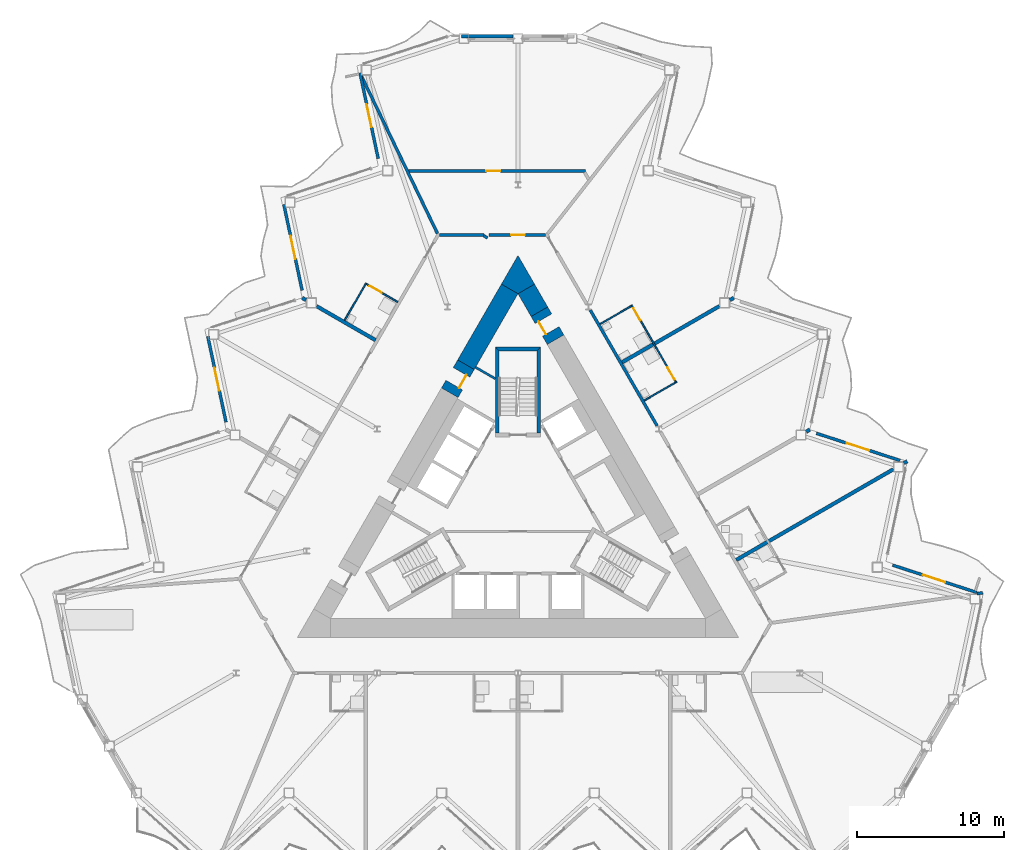
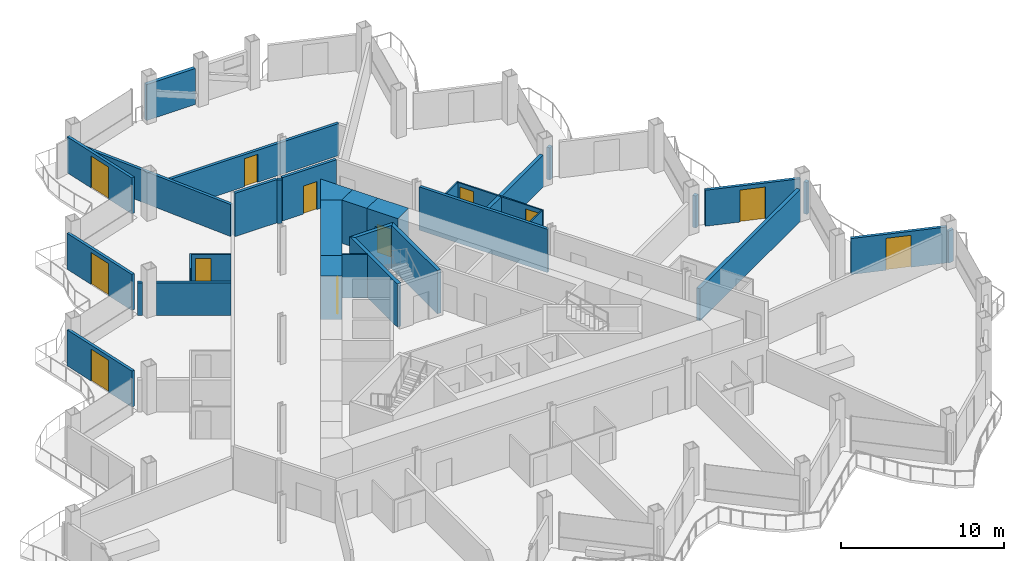
# One storey, part 14 of 24: 34 walls, 12 doors, 12 openings.
"""IFC4 building model written with IfcOpenShell, lengths in metres."""

from ifc_helpers import new_model, si_unit, direction, frame, frame_2d, origin, place, context, subcontext, project, spatial, polyline, rectangle, outline, extrude, material, layer, layer_set, type_object, element, fill, save


model = new_model("IFC4")

# Units and contexts
model_context = context("Model", 3, precision=1e-05, world=origin(), true_north=direction((0.0, 1.0)))
body_context = subcontext(model_context, "Body", "Model", "MODEL_VIEW")
ifc_project = project(units=[si_unit("LENGTHUNIT", "METRE"), si_unit("AREAUNIT", "SQUARE_METRE"), si_unit("VOLUMEUNIT", "CUBIC_METRE"), si_unit("PLANEANGLEUNIT", "RADIAN"), si_unit("MASSUNIT", "GRAM", prefix="KILO")], contexts=[model_context])

# Site, building, storey
site_placement = place(None, origin())
site = spatial("IfcSite", under=ifc_project, at=site_placement, CompositionType="ELEMENT")
building_placement = place(site_placement, origin())
building = spatial("IfcBuilding", under=site, at=building_placement, Name="Cormorant Prow Tower", CompositionType="ELEMENT")
storey_placement = place(building_placement, frame((0.0, 0.0, 234.60009765625)))
storey = spatial("IfcBuildingStorey", under=building, at=storey_placement, Name="L51", CompositionType="ELEMENT", Elevation=234.60009765625)

# Walls
ifc_material_1 = material(Name="Gypsum board partition")
ifc_layer_1 = layer(ifc_material_1, 0.14990234375)
ifc_layer_set_1 = layer_set([ifc_layer_1], Name="Gypsum board partition")
wall_type_1 = type_object("IfcWallType", Name="Core partition 150", PredefinedType="PARTITIONING", material=ifc_layer_set_1)
wall_1_placement = place(storey_placement, frame((-2.88623046875, 9.721435546875, 0.0), z_axis=(0.0, 0.0, 1.0), x_axis=(0.865990094875, -0.500061151839, 0.0)))
element("IfcWall", 1, at=wall_1_placement, inside=storey, type_object=wall_type_1, Name="Service room partition", PredefinedType="PARTITIONING", context=body_context, shape_type="SweptSolid", body=[
    extrude(rectangle(XDim=1.559814453125, YDim=0.14990234375, at=frame_2d((0.77978515625, 0.0))), origin(), (0.0, 0.0, 1.0), 3.25),
])
ifc_material_2 = material(Name="Concrete 8000 psi", Category="concrete")
ifc_layer_2 = layer(ifc_material_2, 1.300048828125)
ifc_layer_set_2 = layer_set([ifc_layer_2], Name="Concrete 8000 psi")
wall_type_2 = type_object("IfcWallType", Name="Core shear wall 1300", PredefinedType="SHEAR", material=ifc_layer_set_2)
wall_2_placement = place(storey_placement, frame((1.4560546875, 13.49853515625, 0.0), z_axis=(0.0, 0.0, 1.0), x_axis=(-0.499990639951, 0.866030807744, 0.0)))
element("IfcWall", 2, at=wall_2_placement, inside=storey, type_object=wall_type_2, Name="Core wall", PredefinedType="SHEAR", context=body_context, shape_type="SweptSolid", body=[
    extrude(rectangle(XDim=1.7861328125, YDim=1.300048828125, at=frame_2d((0.89306640625, 0.0))), origin(), (0.0, 0.0, 1.0), 3.25),
])
wall_3_placement = place(storey_placement, frame((-0.56298828125, 15.04541015625, 0.0), z_axis=(0.0, 0.0, 1.0), x_axis=(-0.500011498138, -0.866018765229, 0.0)))
element("IfcWall", 3, at=wall_3_placement, inside=storey, type_object=wall_type_2, Name="Core wall", PredefinedType="SHEAR", context=body_context, shape_type="SweptSolid", body=[
    extrude(rectangle(XDim=5.946533203125, YDim=1.300048828125, at=frame_2d((2.97314453125, 0.0))), origin(), (0.0, 0.0, 1.0), 3.25),
])
wall_4_placement = place(storey_placement, origin())
element("IfcWall", 4, at=wall_4_placement, inside=storey, type_object=wall_type_2, Name="Core wall corner", PredefinedType="SHEAR", context=body_context, shape_type="SweptSolid", body=[
    extrude(outline(polyline([(-1.125732421875, 15.37060546875), (0.0, 17.320556640625), (1.125732421875, 15.37060546875), (0.0, 14.720458984375), (-1.125732421875, 15.37060546875)])), origin(), (0.0, 0.0, 1.0), 3.25),
])

# Wall, opening, door
wall_5_placement = place(storey_placement, frame((-3.536376953125, 9.8955078125, 0.0), z_axis=(0.0, 0.0, 1.0), x_axis=(-0.499981787252, -0.866035918664, 0.0)))
wall_5 = element("IfcWall", 5, at=wall_5_placement, inside=storey, type_object=wall_type_2, Name="Core wall door panel", PredefinedType="SHEAR", context=body_context, shape_type="SweptSolid", body=[
    extrude(rectangle(XDim=2.2001953125, YDim=1.300048828125, at=frame_2d((1.10009765625, 0.0))), origin(), (0.0, 0.0, 1.0), 3.25),
])
opening_1_placement = place(wall_5_placement, frame((0.60009765625, 0.0, 0.0)))
opening_1 = element("IfcOpeningElement", 6, at=opening_1_placement, cuts=wall_5, Name="Opening L51-C16", PredefinedType="OPENING", context=body_context, shape_type="SweptSolid", body=[
    extrude(rectangle(XDim=1.0, YDim=2.10009765625, at=frame_2d((0.5, 1.050048828125))), frame((0.0, 0.659912109375, 0.0), z_axis=(0.0, -1.0, 0.0), x_axis=(1.0, 0.0, 0.0)), (0.0, 0.0, 1.0), 1.320068359375),
])
ifc_material_3 = material(Name="Painted steel", Category="steel")
door_type_1 = type_object("IfcDoorType", Name="Service door 1000x2100", OperationType="NOTDEFINED", PredefinedType="DOOR", material=ifc_material_3)
door_1_placement = place(opening_1_placement, origin())
door_1 = element("IfcDoor", 7, at=door_1_placement, inside=storey, type_object=door_type_1, Name="Core door, Linen store", OperationType="SINGLE_SWING_LEFT", OverallHeight=2.10009765625, OverallWidth=1.0, PredefinedType="DOOR", context=body_context, shape_type="SweptSolid", body=[
    extrude(rectangle(XDim=1.0, YDim=2.10009765625, at=frame_2d((0.5, 1.050048828125))), frame((0.0, 0.40478515625, 0.0), z_axis=(0.0, -1.0, 0.0), x_axis=(1.0, 0.0, 0.0)), (0.0, 0.0, 1.0), 0.050048828125),
])
fill(opening_1, door_1)

wall_6_placement = place(storey_placement, frame((2.555908203125, 11.59326171875, 0.0), z_axis=(0.0, 0.0, 1.0), x_axis=(-0.499946605688, 0.86605622881, 0.0)))
wall_6 = element("IfcWall", 8, at=wall_6_placement, inside=storey, type_object=wall_type_2, Name="Core wall door panel", PredefinedType="SHEAR", context=body_context, shape_type="SweptSolid", body=[
    extrude(rectangle(XDim=2.199951171875, YDim=1.300048828125, at=frame_2d((1.10009765625, 0.0))), origin(), (0.0, 0.0, 1.0), 3.25),
])
opening_2_placement = place(wall_6_placement, frame((0.64990234375, 0.0, 0.0)))
opening_2 = element("IfcOpeningElement", 9, at=opening_2_placement, cuts=wall_6, Name="Opening L51-C17", PredefinedType="OPENING", context=body_context, shape_type="SweptSolid", body=[
    extrude(rectangle(XDim=1.0, YDim=2.10009765625, at=frame_2d((0.5, 1.050048828125))), frame((0.0, 0.659912109375, 0.0), z_axis=(0.0, -1.0, 0.0), x_axis=(1.0, 0.0, 0.0)), (0.0, 0.0, 1.0), 1.320068359375),
])
door_2_placement = place(opening_2_placement, origin())
door_2 = element("IfcDoor", 10, at=door_2_placement, inside=storey, type_object=door_type_1, Name="Core door, Refuse store", OperationType="SINGLE_SWING_LEFT", OverallHeight=2.10009765625, OverallWidth=1.0, PredefinedType="DOOR", context=body_context, shape_type="SweptSolid", body=[
    extrude(rectangle(XDim=1.0, YDim=2.10009765625, at=frame_2d((0.5, 1.050048828125))), frame((0.0, 0.40478515625, 0.0), z_axis=(0.0, -1.0, 0.0), x_axis=(1.0, 0.0, 0.0)), (0.0, 0.0, 1.0), 0.050048828125),
])
fill(opening_2, door_2)

# Wall
ifc_material_4 = material(Name="Gypsum board corridor wall")
ifc_layer_3 = layer(ifc_material_4, 0.199951171875)
ifc_layer_set_3 = layer_set([ifc_layer_3], Name="Gypsum board corridor wall")
wall_type_3 = type_object("IfcWallType", Name="Corridor wall 200", PredefinedType="PARTITIONING", material=ifc_layer_set_3)
wall_7_placement = place(storey_placement, frame((4.91015625, 13.61572265625, 0.0), z_axis=(0.0, 0.0, 1.0), x_axis=(0.50000207303, -0.866024206917, 0.0)))
element("IfcWall", 11, at=wall_7_placement, inside=storey, type_object=wall_type_3, Name="Corridor wall", PredefinedType="PARTITIONING", context=body_context, shape_type="SweptSolid", body=[
    extrude(rectangle(XDim=9.0947265625, YDim=0.199951171875, at=frame_2d((4.54736328125, 0.0))), origin(), (0.0, 0.0, 1.0), 3.25),
])

# Wall, opening, door
wall_8_placement = place(storey_placement, frame((-1.962890625, 18.720458984375, 0.0), z_axis=(0.0, 0.0, 1.0), x_axis=(1.0, 0.0, 0.0)))
wall_8 = element("IfcWall", 12, at=wall_8_placement, inside=storey, type_object=wall_type_3, Name="Corridor wall", PredefinedType="PARTITIONING", context=body_context, shape_type="SweptSolid", body=[
    extrude(rectangle(XDim=3.825927734375, YDim=0.199951171875, at=frame_2d((1.9130859375, 0.0))), origin(), (0.0, 0.0, 1.0), 3.25),
])
opening_3_placement = place(wall_8_placement, frame((1.48974609375, 0.0, 0.0)))
opening_3 = element("IfcOpeningElement", 13, at=opening_3_placement, cuts=wall_8, Name="Opening L51-F18", PredefinedType="OPENING", context=body_context, shape_type="SweptSolid", body=[
    extrude(rectangle(XDim=0.949951171875, YDim=2.10009765625, at=frame_2d((0.47509765625, 1.050048828125))), frame((0.0, 0.10986328125, 0.0), z_axis=(0.0, -1.0, 0.0), x_axis=(1.0, 0.0, 0.0)), (0.0, 0.0, 1.0), 0.219970703125),
])
ifc_material_5 = material(Name="Timber door leaf", Category="wood")
door_type_2 = type_object("IfcDoorType", Name="Store door 950x2100", OperationType="NOTDEFINED", PredefinedType="DOOR", material=ifc_material_5)
door_3_placement = place(opening_3_placement, origin())
door_3 = element("IfcDoor", 14, at=door_3_placement, inside=storey, type_object=door_type_2, Name="Housekeeping room door", OperationType="SINGLE_SWING_LEFT", OverallHeight=2.10009765625, OverallWidth=0.949951171875, PredefinedType="DOOR", context=body_context, shape_type="SweptSolid", body=[
    extrude(rectangle(XDim=0.949951171875, YDim=2.10009765625, at=frame_2d((0.47509765625, 1.050048828125))), frame((0.0, 0.02490234375, 0.0), z_axis=(0.0, -1.0, 0.0), x_axis=(1.0, 0.0, 0.0)), (0.0, 0.0, 1.0), 0.050048828125),
])
fill(opening_3, door_3)

# Walls
wall_9_placement = place(storey_placement, frame((-5.3271484375, 18.720458984375, 0.0), z_axis=(0.0, 0.0, 1.0), x_axis=(1.0, 0.0, 0.0)))
element("IfcWall", 15, at=wall_9_placement, inside=storey, type_object=wall_type_3, Name="Corridor wall", PredefinedType="PARTITIONING", context=body_context, shape_type="SweptSolid", body=[
    extrude(rectangle(XDim=3.002197265625, YDim=0.199951171875, at=frame_2d((1.5009765625, 0.0))), origin(), (0.0, 0.0, 1.0), 3.25),
])
wall_10_placement = place(storey_placement, frame((-2.33837890625, 18.67041015625, 0.0), z_axis=(0.0, 0.0, 1.0), x_axis=(0.866054481515, -0.499949632511, 0.0)))
element("IfcWall", 16, at=wall_10_placement, inside=storey, type_object=wall_type_3, Name="Corridor wall", PredefinedType="PARTITIONING", context=body_context, shape_type="SweptSolid", body=[
    extrude(rectangle(XDim=0.31005859375, YDim=0.199951171875, at=frame_2d((0.155029296875, 0.0))), origin(), (0.0, 0.0, 1.0), 3.25),
])
ifc_material_6 = material(Name="Gypsum board demising wall")
ifc_layer_4 = layer(ifc_material_6, 0.199951171875)
ifc_layer_set_4 = layer_set([ifc_layer_4], Name="Gypsum board demising wall")
wall_type_4 = type_object("IfcWallType", Name="Demising wall 200", PredefinedType="PARTITIONING", material=ifc_layer_set_4)
wall_11_placement = place(storey_placement, origin())
element("IfcWall", 17, at=wall_11_placement, inside=storey, type_object=wall_type_4, Name="Demising wall", PredefinedType="PARTITIONING", context=body_context, shape_type="SweptSolid", body=[
    extrude(outline(polyline([(-5.560791015625, 18.76708984375), (-10.4658203125, 28.92333984375), (-10.640380859375, 29.744873046875), (-5.380615234375, 18.85400390625), (-5.560791015625, 18.76708984375)])), origin(), (0.0, 0.0, 1.0), 2.404052734375),
])

# Wall, opening, door
wall_12_placement = place(storey_placement, frame((-7.427978515625, 23.070556640625, 0.0), z_axis=(0.0, 0.0, 1.0), x_axis=(1.0, 0.0, 0.0)))
wall_12 = element("IfcWall", 18, at=wall_12_placement, inside=storey, type_object=wall_type_4, Name="Demising wall", PredefinedType="PARTITIONING", context=body_context, shape_type="SweptSolid", body=[
    extrude(rectangle(XDim=12.00244140625, YDim=0.199951171875, at=frame_2d((6.001220703125, 0.0))), origin(), (0.0, 0.0, 1.0), 2.404052734375),
])
opening_4_placement = place(wall_12_placement, frame((5.27490234375, 0.0, 0.0)))
opening_4 = element("IfcOpeningElement", 19, at=opening_4_placement, cuts=wall_12, Name="Opening L51-F19", PredefinedType="OPENING", context=body_context, shape_type="SweptSolid", body=[
    extrude(rectangle(XDim=0.949951171875, YDim=2.10009765625, at=frame_2d((0.47509765625, 1.050048828125))), frame((0.0, 0.10986328125, 0.0), z_axis=(0.0, -1.0, 0.0), x_axis=(1.0, 0.0, 0.0)), (0.0, 0.0, 1.0), 0.219970703125),
])
door_4_placement = place(opening_4_placement, origin())
door_4 = element("IfcDoor", 20, at=door_4_placement, inside=storey, type_object=door_type_2, Name="Linen store door", OperationType="SINGLE_SWING_LEFT", OverallHeight=2.10009765625, OverallWidth=0.949951171875, PredefinedType="DOOR", context=body_context, shape_type="SweptSolid", body=[
    extrude(rectangle(XDim=0.949951171875, YDim=2.10009765625, at=frame_2d((0.47509765625, 1.050048828125))), frame((0.0, 0.02490234375, 0.0), z_axis=(0.0, -1.0, 0.0), x_axis=(1.0, 0.0, 0.0)), (0.0, 0.0, 1.0), 0.050048828125),
])
fill(opening_4, door_4)

# Wall
wall_13_placement = place(storey_placement, frame((31.19580078125, -5.669189453125, 0.0), z_axis=(0.0, 0.0, 1.0), x_axis=(0.990010701632, 0.140992236146, 0.0)))
element("IfcWall", 21, at=wall_13_placement, inside=storey, type_object=wall_type_4, Name="Demising wall", PredefinedType="PARTITIONING", context=body_context, shape_type="SweptSolid", body=[
    extrude(rectangle(XDim=0.398193359375, YDim=0.199951171875, at=frame_2d((0.19921875, 0.0))), origin(), (0.0, 0.0, 1.0), 2.404052734375),
])

# Wall, openings, doors
ifc_material_7 = material(Name="Gypsum board partition")
ifc_layer_5 = layer(ifc_material_7, 0.10009765625)
ifc_layer_set_5 = layer_set([ifc_layer_5], Name="Gypsum board partition")
wall_type_5 = type_object("IfcWallType", Name="Internal partition 100", PredefinedType="PARTITIONING", material=ifc_layer_set_5)
wall_14_placement = place(storey_placement, frame((7.71923828125, 13.950439453125, 0.0), z_axis=(0.0, 0.0, 1.0), x_axis=(0.500008851346, -0.866020293397, 0.0)))
wall_14 = element("IfcWall", 22, at=wall_14_placement, inside=storey, type_object=wall_type_5, Name="Internal partition", PredefinedType="PARTITIONING", context=body_context, shape_type="SweptSolid", body=[
    extrude(rectangle(XDim=6.10009765625, YDim=0.10009765625, at=frame_2d((3.050048828125, 0.0))), origin(), (0.0, 0.0, 1.0), 2.404052734375),
])
opening_5_placement = place(wall_14_placement, frame((4.89990234375, 0.0, 0.0)))
opening_5 = element("IfcOpeningElement", 23, at=opening_5_placement, cuts=wall_14, Name="Opening L51-F15", PredefinedType="OPENING", context=body_context, shape_type="SweptSolid", body=[
    extrude(rectangle(XDim=0.949951171875, YDim=2.10009765625, at=frame_2d((0.47509765625, 1.050048828125))), frame((0.0, 0.06005859375, 0.0), z_axis=(0.0, -1.0, 0.0), x_axis=(1.0, 0.0, 0.0)), (0.0, 0.0, 1.0), 0.1201171875),
])
opening_6_placement = place(wall_14_placement, frame((0.25, 0.0, 0.0)))
opening_6 = element("IfcOpeningElement", 24, at=opening_6_placement, cuts=wall_14, Name="Opening L51-F17", PredefinedType="OPENING", context=body_context, shape_type="SweptSolid", body=[
    extrude(rectangle(XDim=0.949951171875, YDim=2.10009765625, at=frame_2d((0.47509765625, 1.050048828125))), frame((0.0, 0.06005859375, 0.0), z_axis=(0.0, -1.0, 0.0), x_axis=(1.0, 0.0, 0.0)), (0.0, 0.0, 1.0), 0.1201171875),
])
ifc_material_8 = material(Name="Timber door leaf", Category="wood")
door_type_3 = type_object("IfcDoorType", Name="Bathroom door 950x2100", OperationType="NOTDEFINED", PredefinedType="DOOR", material=ifc_material_8)
door_5_placement = place(opening_5_placement, origin())
door_5 = element("IfcDoor", 25, at=door_5_placement, inside=storey, type_object=door_type_3, Name="Junior suite door", OperationType="SINGLE_SWING_RIGHT", OverallHeight=2.10009765625, OverallWidth=0.949951171875, PredefinedType="DOOR", context=body_context, shape_type="SweptSolid", body=[
    extrude(rectangle(XDim=0.949951171875, YDim=2.10009765625, at=frame_2d((0.47509765625, 1.050048828125))), frame((0.0, 0.02490234375, 0.0), z_axis=(0.0, -1.0, 0.0), x_axis=(1.0, 0.0, 0.0)), (0.0, 0.0, 1.0), 0.050048828125),
])
fill(opening_5, door_5)
door_6_placement = place(opening_6_placement, origin())
door_6 = element("IfcDoor", 26, at=door_6_placement, inside=storey, type_object=door_type_3, Name="Executive suite bedroom door", OperationType="SINGLE_SWING_LEFT", OverallHeight=2.10009765625, OverallWidth=0.949951171875, PredefinedType="DOOR", context=body_context, shape_type="SweptSolid", body=[
    extrude(rectangle(XDim=0.949951171875, YDim=2.10009765625, at=frame_2d((0.47509765625, 1.050048828125))), frame((0.0, 0.02490234375, 0.0), z_axis=(0.0, -1.0, 0.0), x_axis=(1.0, 0.0, 0.0)), (0.0, 0.0, 1.0), 0.050048828125),
])
fill(opening_6, door_6)

# Walls
wall_15_placement = place(storey_placement, frame((-11.77978515625, 12.91748046875, 0.0), z_axis=(0.0, 0.0, 1.0), x_axis=(0.499999433879, 0.866025730634, 0.0)))
element("IfcWall", 27, at=wall_15_placement, inside=storey, type_object=wall_type_5, Name="Internal partition", PredefinedType="PARTITIONING", context=body_context, shape_type="SweptSolid", body=[
    extrude(rectangle(XDim=2.9248046875, YDim=0.10009765625, at=frame_2d((1.46240234375, 0.0))), origin(), (0.0, 0.0, 1.0), 2.404052734375),
])
wall_16_placement = place(storey_placement, frame((8.5791015625, 7.4609375, 0.0), z_axis=(0.0, 0.0, 1.0), x_axis=(0.866014668023, 0.500018594424, 0.0)))
element("IfcWall", 28, at=wall_16_placement, inside=storey, type_object=wall_type_5, Name="Internal partition", PredefinedType="PARTITIONING", context=body_context, shape_type="SweptSolid", body=[
    extrude(rectangle(XDim=2.4501953125, YDim=0.10009765625, at=frame_2d((1.22509765625, 0.0))), origin(), (0.0, 0.0, 1.0), 2.404052734375),
])

# Wall, opening, door
wall_17_placement = place(storey_placement, frame((-10.299072265625, 15.382080078125, 0.0), z_axis=(0.0, 0.0, 1.0), x_axis=(0.866057815567, -0.499943856944, 0.0)))
wall_17 = element("IfcWall", 29, at=wall_17_placement, inside=storey, type_object=wall_type_5, Name="Internal partition", PredefinedType="PARTITIONING", context=body_context, shape_type="SweptSolid", body=[
    extrude(rectangle(XDim=2.449951171875, YDim=0.10009765625, at=frame_2d((1.22509765625, 0.0))), origin(), (0.0, 0.0, 1.0), 2.404052734375),
])
opening_7_placement = place(wall_17_placement, frame((0.25, 0.0, 0.0)))
opening_7 = element("IfcOpeningElement", 30, at=opening_7_placement, cuts=wall_17, Name="Opening L51-F21", PredefinedType="OPENING", context=body_context, shape_type="SweptSolid", body=[
    extrude(rectangle(XDim=0.949951171875, YDim=2.10009765625, at=frame_2d((0.47509765625, 1.050048828125))), frame((0.0, 0.06005859375, 0.0), z_axis=(0.0, -1.0, 0.0), x_axis=(1.0, 0.0, 0.0)), (0.0, 0.0, 1.0), 0.1201171875),
])
door_7_placement = place(opening_7_placement, origin())
door_7 = element("IfcDoor", 31, at=door_7_placement, inside=storey, type_object=door_type_3, Name="Executive suite bedroom door", OperationType="SINGLE_SWING_LEFT", OverallHeight=2.10009765625, OverallWidth=0.949951171875, PredefinedType="DOOR", context=body_context, shape_type="SweptSolid", body=[
    extrude(rectangle(XDim=0.949951171875, YDim=2.10009765625, at=frame_2d((0.47509765625, 1.050048828125))), frame((0.0, 0.02490234375, 0.0), z_axis=(0.0, -1.0, 0.0), x_axis=(1.0, 0.0, 0.0)), (0.0, 0.0, 1.0), 0.050048828125),
])
fill(opening_7, door_7)

# Walls
wall_18_placement = place(storey_placement, frame((5.5791015625, 12.6572265625, 0.0), z_axis=(0.0, 0.0, 1.0), x_axis=(0.866057815567, 0.499943856944, 0.0)))
element("IfcWall", 32, at=wall_18_placement, inside=storey, type_object=wall_type_5, Name="Internal partition", PredefinedType="PARTITIONING", context=body_context, shape_type="SweptSolid", body=[
    extrude(rectangle(XDim=2.449951171875, YDim=0.10009765625, at=frame_2d((1.22509765625, 0.0))), origin(), (0.0, 0.0, 1.0), 2.404052734375),
])
ifc_material_9 = material(Name="Concrete 8000 psi", Category="concrete")
ifc_layer_6 = layer(ifc_material_9, 0.25)
ifc_layer_set_6 = layer_set([ifc_layer_6], Name="Concrete 8000 psi")
wall_type_6 = type_object("IfcWallType", Name="Stair wall 250", PredefinedType="SHEAR", material=ifc_layer_set_6)
wall_19_placement = place(storey_placement, origin())
element("IfcWall", 33, at=wall_19_placement, inside=storey, type_object=wall_type_6, Name="Stair ST3 enclosure wall (flank)", PredefinedType="SHEAR", context=body_context, shape_type="SweptSolid", body=[
    extrude(outline(polyline([(1.5439453125, 5.23681640625), (1.5439453125, 11.0869140625), (1.2939453125, 10.8369140625), (1.2939453125, 5.23681640625), (1.5439453125, 5.23681640625)])), origin(), (0.0, 0.0, 1.0), 3.25),
])
wall_20_placement = place(storey_placement, origin())
element("IfcWall", 34, at=wall_20_placement, inside=storey, type_object=wall_type_6, Name="Stair ST3 enclosure wall (end)", PredefinedType="SHEAR", context=body_context, shape_type="SweptSolid", body=[
    extrude(outline(polyline([(1.5439453125, 11.0869140625), (-1.5439453125, 11.0869140625), (-1.2939453125, 10.8369140625), (1.2939453125, 10.8369140625), (1.5439453125, 11.0869140625)])), origin(), (0.0, 0.0, 1.0), 3.25),
])
wall_21_placement = place(storey_placement, origin())
element("IfcWall", 35, at=wall_21_placement, inside=storey, type_object=wall_type_6, Name="Stair ST3 enclosure wall (flank)", PredefinedType="SHEAR", context=body_context, shape_type="SweptSolid", body=[
    extrude(outline(polyline([(-1.2939453125, 10.8369140625), (-1.5439453125, 11.0869140625), (-1.5439453125, 5.23681640625), (-1.2939453125, 5.23681640625), (-1.2939453125, 10.8369140625)])), origin(), (0.0, 0.0, 1.0), 3.25),
])
ifc_material_10 = material(Name="Acoustic gypsum party wall")
ifc_layer_7 = layer(ifc_material_10, 0.25)
ifc_layer_set_7 = layer_set([ifc_layer_7], Name="Acoustic gypsum party wall")
wall_type_7 = type_object("IfcWallType", Name="Suite party wall 250", PredefinedType="PARTITIONING", material=ifc_layer_set_7)
wall_22_placement = place(storey_placement, frame((14.8369140625, -3.3779296875, 0.0), z_axis=(0.0, 0.0, 1.0), x_axis=(0.866021706022, 0.500006404657, 0.0)))
element("IfcWall", 36, at=wall_22_placement, inside=storey, type_object=wall_type_7, Name="Suite party wall", PredefinedType="PARTITIONING", context=body_context, shape_type="SweptSolid", body=[
    extrude(rectangle(XDim=12.329833984375, YDim=0.25, at=frame_2d((6.1650390625, 0.0))), origin(), (0.0, 0.0, 1.0), 2.404052734375),
])
wall_23_placement = place(storey_placement, frame((7.0791015625, 10.05908203125, 0.0), z_axis=(0.0, 0.0, 1.0), x_axis=(0.866033195618, 0.499986503906, 0.0)))
element("IfcWall", 37, at=wall_23_placement, inside=storey, type_object=wall_type_7, Name="Suite party wall", PredefinedType="PARTITIONING", context=body_context, shape_type="SweptSolid", body=[
    extrude(rectangle(XDim=7.630126953125, YDim=0.25, at=frame_2d((3.81494140625, 0.0))), origin(), (0.0, 0.0, 1.0), 2.404052734375),
])
wall_24_placement = place(storey_placement, frame((-13.68701171875, 13.8740234375, 0.0), z_axis=(0.0, 0.0, 1.0), x_axis=(0.866034555462, -0.499984148495, 0.0)))
element("IfcWall", 38, at=wall_24_placement, inside=storey, type_object=wall_type_7, Name="Suite party wall", PredefinedType="PARTITIONING", context=body_context, shape_type="SweptSolid", body=[
    extrude(rectangle(XDim=4.630126953125, YDim=0.25, at=frame_2d((2.31494140625, 0.0))), origin(), (0.0, 0.0, 1.0), 2.404052734375),
])
for number, where, z_axis, x_axis, name in (
    (39, (14.406982421875, 14.289794921875, 0.0), (0.0, 0.0, 1.0), (0.865888485494, 0.500237074485, 0.0), "Suite party wall"),
    (40, (-14.667724609375, 14.4404296875, 0.0), (0.0, 0.0, 1.0), (0.865888485494, -0.500237074485, 0.0), "Suite party wall"),
):
    element("IfcWall", number, at=place(storey_placement, frame(where, z_axis=z_axis, x_axis=x_axis)), inside=storey, type_object=wall_type_7, Name=name, PredefinedType="PARTITIONING", context=body_context, shape_type="SweptSolid", body=[
        extrude(rectangle(XDim=0.301025390625, YDim=0.25, at=frame_2d((0.150390625, 0.0))), origin(), (0.0, 0.0, 1.0), 2.404052734375),
    ])
wall_25_placement = place(storey_placement, frame((19.59521484375, 5.34130859375, 0.0), z_axis=(0.0, 0.0, 1.0), x_axis=(0.865998287773, 0.500046963369, 0.0)))
element("IfcWall", 41, at=wall_25_placement, inside=storey, type_object=wall_type_7, Name="Suite party wall", PredefinedType="PARTITIONING", context=body_context, shape_type="SweptSolid", body=[
    extrude(rectangle(XDim=0.2822265625, YDim=0.25, at=frame_2d((0.14111328125, 0.0))), origin(), (0.0, 0.0, 1.0), 2.404052734375),
])
wall_26_placement = place(storey_placement, frame((26.23486328125, 3.20263671875, 0.0), z_axis=(0.0, 0.0, 1.0), x_axis=(0.86596515875, 0.500104332946, 0.0)))
element("IfcWall", 42, at=wall_26_placement, inside=storey, type_object=wall_type_7, Name="Suite party wall", PredefinedType="PARTITIONING", context=body_context, shape_type="SweptSolid", body=[
    extrude(rectangle(XDim=0.25830078125, YDim=0.25, at=frame_2d((0.129150390625, 0.0))), origin(), (0.0, 0.0, 1.0), 2.404052734375),
])
ifc_material_11 = material(Name="Terracotta", Category="masonry")
ifc_layer_8 = layer(ifc_material_11, 0.25)
ifc_layer_set_8 = layer_set([ifc_layer_8], Name="Terracotta")
wall_type_8 = type_object("IfcWallType", Name="Terracotta bay wall 250", PredefinedType="SOLIDWALL", material=ifc_layer_set_8)
wall_27_placement = place(storey_placement, frame((-0.35009765625, 32.2314453125, 0.0), z_axis=(0.0, 0.0, 1.0), x_axis=(-1.0, 0.0, 0.0)))
element("IfcWall", 43, at=wall_27_placement, inside=storey, type_object=wall_type_8, Name="Terracotta bay wall N01", PredefinedType="SOLIDWALL", context=body_context, shape_type="SweptSolid", body=[
    extrude(rectangle(XDim=3.472900390625, YDim=0.25, at=frame_2d((1.736328125, 0.0))), origin(), (0.0, 0.0, 1.0), 2.70068359375),
])

# Wall, opening, door
ifc_material_12 = material(Name="Terracotta", Category="masonry")
ifc_layer_9 = layer(ifc_material_12, 0.199951171875)
ifc_layer_set_9 = layer_set([ifc_layer_9], Name="Terracotta")
wall_type_9 = type_object("IfcWallType", Name="Terracotta jamb wall 200", PredefinedType="SOLIDWALL", material=ifc_layer_set_9)
wall_28_placement = place(storey_placement, frame((31.183837890625, -5.586181640625, 0.0), z_axis=(0.0, 0.0, 1.0), x_axis=(-0.95106415783, 0.30899347516, 0.0)))
wall_28 = element("IfcWall", 44, at=wall_28_placement, inside=storey, type_object=wall_type_9, Name="Terracotta jamb wall ENE01", PredefinedType="SOLIDWALL", context=body_context, shape_type="SweptSolid", body=[
    extrude(rectangle(XDim=6.021484375, YDim=0.199951171875, at=frame_2d((3.0107421875, 0.0))), origin(), (0.0, 0.0, 1.0), 2.70068359375),
])
opening_8_placement = place(wall_28_placement, frame((2.24267578125, 0.0, 0.0)))
opening_8 = element("IfcOpeningElement", 45, at=opening_8_placement, cuts=wall_28, Name="Opening ED51.06", PredefinedType="OPENING", context=body_context, shape_type="SweptSolid", body=[
    extrude(rectangle(XDim=1.60009765625, YDim=2.39990234375, at=frame_2d((0.800048828125, 1.199951171875))), frame((0.0, 0.10986328125, 0.0), z_axis=(0.0, -1.0, 0.0), x_axis=(1.0, 0.0, 0.0)), (0.0, 0.0, 1.0), 0.219970703125),
])
ifc_material_13 = material(Name="Aluminium 6063-T6", Category="aluminium")
door_type_4 = type_object("IfcDoorType", Name="Balcony door 1600x2400", OperationType="DOUBLE_DOOR_SINGLE_SWING", PredefinedType="DOOR", material=ifc_material_13)
door_8_placement = place(opening_8_placement, origin())
door_8 = element("IfcDoor", 46, at=door_8_placement, inside=storey, type_object=door_type_4, Name="Balcony door ENE01 ED51.06", OperationType="DOUBLE_DOOR_SINGLE_SWING", OverallHeight=2.39990234375, OverallWidth=1.60009765625, PredefinedType="DOOR", context=body_context, shape_type="SweptSolid", body=[
    extrude(rectangle(XDim=1.60009765625, YDim=2.39990234375, at=frame_2d((0.800048828125, 1.199951171875))), frame((0.0, 0.02490234375, 0.0), z_axis=(0.0, -1.0, 0.0), x_axis=(1.0, 0.0, 0.0)), (0.0, 0.0, 1.0), 0.050048828125),
])
fill(opening_8, door_8)

wall_29_placement = place(storey_placement, frame((25.9765625, 3.38330078125, 0.0), z_axis=(0.0, 0.0, 1.0), x_axis=(-0.951062846307, 0.308997511922, 0.0)))
wall_29 = element("IfcWall", 47, at=wall_29_placement, inside=storey, type_object=wall_type_9, Name="Terracotta jamb wall ENE03", PredefinedType="SOLIDWALL", context=body_context, shape_type="SweptSolid", body=[
    extrude(rectangle(XDim=5.984375, YDim=0.199951171875, at=frame_2d((2.9921875, 0.0))), origin(), (0.0, 0.0, 1.0), 2.70068359375),
])
opening_9_placement = place(wall_29_placement, frame((2.20556640625, 0.0, 0.0)))
opening_9 = element("IfcOpeningElement", 48, at=opening_9_placement, cuts=wall_29, Name="Opening ED51.07", PredefinedType="OPENING", context=body_context, shape_type="SweptSolid", body=[
    extrude(rectangle(XDim=1.60009765625, YDim=2.39990234375, at=frame_2d((0.800048828125, 1.199951171875))), frame((0.0, 0.10986328125, 0.0), z_axis=(0.0, -1.0, 0.0), x_axis=(1.0, 0.0, 0.0)), (0.0, 0.0, 1.0), 0.219970703125),
])
door_9_placement = place(opening_9_placement, origin())
door_9 = element("IfcDoor", 49, at=door_9_placement, inside=storey, type_object=door_type_4, Name="Balcony door ENE03 ED51.07", OperationType="DOUBLE_DOOR_SINGLE_SWING", OverallHeight=2.39990234375, OverallWidth=1.60009765625, PredefinedType="DOOR", context=body_context, shape_type="SweptSolid", body=[
    extrude(rectangle(XDim=1.60009765625, YDim=2.39990234375, at=frame_2d((0.800048828125, 1.199951171875))), frame((0.0, 0.02490234375, 0.0), z_axis=(0.0, -1.0, 0.0), x_axis=(1.0, 0.0, 0.0)), (0.0, 0.0, 1.0), 0.050048828125),
])
fill(opening_9, door_9)

wall_30_placement = place(storey_placement, frame((-10.74072265625, 29.736572265625, 0.0), z_axis=(0.0, 0.0, 1.0), x_axis=(0.207891593624, -0.978151872308, 0.0)))
wall_30 = element("IfcWall", 50, at=wall_30_placement, inside=storey, type_object=wall_type_9, Name="Terracotta jamb wall WNW01", PredefinedType="SOLIDWALL", context=body_context, shape_type="SweptSolid", body=[
    extrude(rectangle(XDim=5.95751953125, YDim=0.199951171875, at=frame_2d((2.978759765625, 0.0))), origin(), (0.0, 0.0, 1.0), 2.70068359375),
])
opening_10_placement = place(wall_30_placement, frame((2.1787109375, 0.0, 0.0)))
opening_10 = element("IfcOpeningElement", 51, at=opening_10_placement, cuts=wall_30, Name="Opening ED51.11", PredefinedType="OPENING", context=body_context, shape_type="SweptSolid", body=[
    extrude(rectangle(XDim=1.60009765625, YDim=2.39990234375, at=frame_2d((0.800048828125, 1.199951171875))), frame((0.0, 0.10986328125, 0.0), z_axis=(0.0, -1.0, 0.0), x_axis=(1.0, 0.0, 0.0)), (0.0, 0.0, 1.0), 0.219970703125),
])
door_10_placement = place(opening_10_placement, origin())
door_10 = element("IfcDoor", 52, at=door_10_placement, inside=storey, type_object=door_type_4, Name="Balcony door WNW01 ED51.11", OperationType="DOUBLE_DOOR_SINGLE_SWING", OverallHeight=2.39990234375, OverallWidth=1.60009765625, PredefinedType="DOOR", context=body_context, shape_type="SweptSolid", body=[
    extrude(rectangle(XDim=1.60009765625, YDim=2.39990234375, at=frame_2d((0.800048828125, 1.199951171875))), frame((0.0, 0.02490234375, 0.0), z_axis=(0.0, -1.0, 0.0), x_axis=(1.0, 0.0, 0.0)), (0.0, 0.0, 1.0), 0.050048828125),
])
fill(opening_10, door_10)

wall_31_placement = place(storey_placement, frame((-15.912841796875, 20.778564453125, 0.0), z_axis=(0.0, 0.0, 1.0), x_axis=(0.207930802022, -0.978143538327, 0.0)))
wall_31 = element("IfcWall", 53, at=wall_31_placement, inside=storey, type_object=wall_type_9, Name="Terracotta jamb wall WNW03", PredefinedType="SOLIDWALL", context=body_context, shape_type="SweptSolid", body=[
    extrude(rectangle(XDim=5.95751953125, YDim=0.199951171875, at=frame_2d((2.978759765625, 0.0))), origin(), (0.0, 0.0, 1.0), 2.70068359375),
])
opening_11_placement = place(wall_31_placement, frame((2.1787109375, 0.0, 0.0)))
opening_11 = element("IfcOpeningElement", 54, at=opening_11_placement, cuts=wall_31, Name="Opening ED51.12", PredefinedType="OPENING", context=body_context, shape_type="SweptSolid", body=[
    extrude(rectangle(XDim=1.60009765625, YDim=2.39990234375, at=frame_2d((0.800048828125, 1.199951171875))), frame((0.0, 0.10986328125, 0.0), z_axis=(0.0, -1.0, 0.0), x_axis=(1.0, 0.0, 0.0)), (0.0, 0.0, 1.0), 0.219970703125),
])
door_11_placement = place(opening_11_placement, origin())
door_11 = element("IfcDoor", 55, at=door_11_placement, inside=storey, type_object=door_type_4, Name="Balcony door WNW03 ED51.12", OperationType="DOUBLE_DOOR_SINGLE_SWING", OverallHeight=2.39990234375, OverallWidth=1.60009765625, PredefinedType="DOOR", context=body_context, shape_type="SweptSolid", body=[
    extrude(rectangle(XDim=1.60009765625, YDim=2.39990234375, at=frame_2d((0.800048828125, 1.199951171875))), frame((0.0, 0.02490234375, 0.0), z_axis=(0.0, -1.0, 0.0), x_axis=(1.0, 0.0, 0.0)), (0.0, 0.0, 1.0), 0.050048828125),
])
fill(opening_11, door_11)

wall_32_placement = place(storey_placement, frame((-21.084716796875, 11.820556640625, 0.0), z_axis=(0.0, 0.0, 1.0), x_axis=(0.207930802022, -0.978143538327, 0.0)))
wall_32 = element("IfcWall", 56, at=wall_32_placement, inside=storey, type_object=wall_type_9, Name="Terracotta jamb wall WNW05", PredefinedType="SOLIDWALL", context=body_context, shape_type="SweptSolid", body=[
    extrude(rectangle(XDim=5.95751953125, YDim=0.199951171875, at=frame_2d((2.978759765625, 0.0))), origin(), (0.0, 0.0, 1.0), 2.70068359375),
])
opening_12_placement = place(wall_32_placement, frame((2.1787109375, 0.0, 0.0)))
opening_12 = element("IfcOpeningElement", 57, at=opening_12_placement, cuts=wall_32, Name="Opening ED51.13", PredefinedType="OPENING", context=body_context, shape_type="SweptSolid", body=[
    extrude(rectangle(XDim=1.60009765625, YDim=2.39990234375, at=frame_2d((0.800048828125, 1.199951171875))), frame((0.0, 0.10986328125, 0.0), z_axis=(0.0, -1.0, 0.0), x_axis=(1.0, 0.0, 0.0)), (0.0, 0.0, 1.0), 0.219970703125),
])
door_12_placement = place(opening_12_placement, origin())
door_12 = element("IfcDoor", 58, at=door_12_placement, inside=storey, type_object=door_type_4, Name="Balcony door WNW05 ED51.13", OperationType="DOUBLE_DOOR_SINGLE_SWING", OverallHeight=2.39990234375, OverallWidth=1.60009765625, PredefinedType="DOOR", context=body_context, shape_type="SweptSolid", body=[
    extrude(rectangle(XDim=1.60009765625, YDim=2.39990234375, at=frame_2d((0.800048828125, 1.199951171875))), frame((0.0, 0.02490234375, 0.0), z_axis=(0.0, -1.0, 0.0), x_axis=(1.0, 0.0, 0.0)), (0.0, 0.0, 1.0), 0.050048828125),
])
fill(opening_12, door_12)

save(model, "model.ifc")
